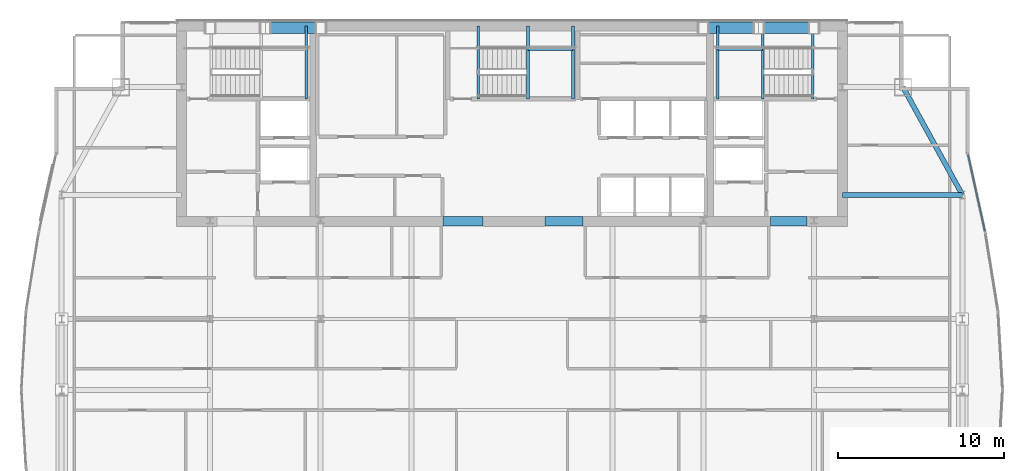
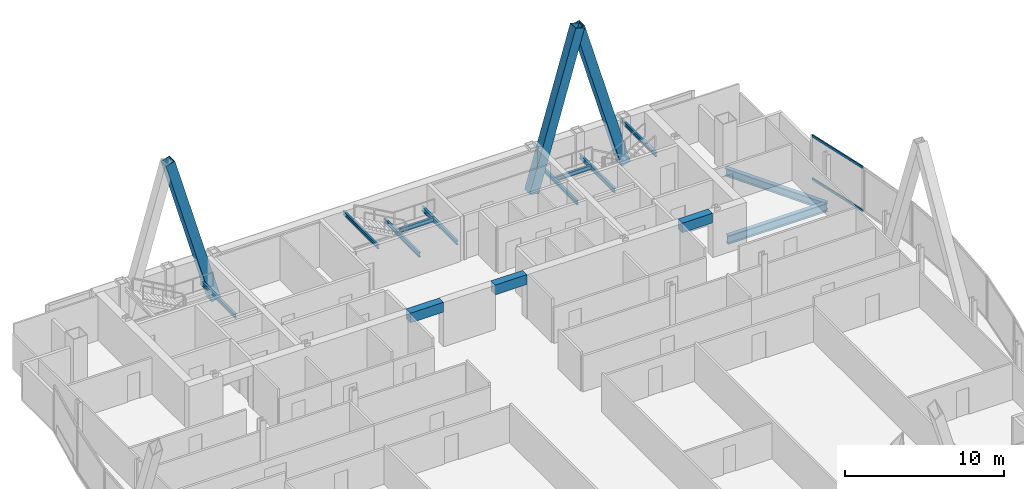
# One storey, part 23 of 31: 14 beams, 5 members, 1 element without a shape of its own.
"""IFC4 building model written with IfcOpenShell, lengths in metres."""

from ifc_helpers import new_model, si_unit, direction, frame, origin, origin_2d, place, context, subcontext, project, spatial, rectangle, hollow_rectangle, i_section, extrude, material, material_profile, profile_set, type_object, element, aggregate, save


model = new_model("IFC4")

# Units and contexts
model_context = context("Model", 3, precision=1e-05, world=origin(), true_north=direction((0.0, 1.0)))
body_context = subcontext(model_context, "Body", "Model", "MODEL_VIEW")
ifc_project = project(units=[si_unit("LENGTHUNIT", "METRE"), si_unit("AREAUNIT", "SQUARE_METRE"), si_unit("VOLUMEUNIT", "CUBIC_METRE"), si_unit("PLANEANGLEUNIT", "RADIAN"), si_unit("MASSUNIT", "GRAM", prefix="KILO")], contexts=[model_context])

# Site, building, storey
site_placement = place(None, origin())
site = spatial("IfcSite", under=ifc_project, at=site_placement, CompositionType="ELEMENT")
building_placement = place(site_placement, origin())
building = spatial("IfcBuilding", under=site, at=building_placement, Name="Khoronbel Lancet Exchange", CompositionType="ELEMENT")
storey_placement = place(building_placement, frame((0.0, 0.0, 261.800048828125)))
storey = spatial("IfcBuildingStorey", under=building, at=storey_placement, Name="L67", CompositionType="ELEMENT", Elevation=261.800048828125)

# Beams
ifc_material_1 = material(Name="Steel S355", Category="steel")
ifc_material_profile_1 = material_profile(ifc_material_1, i_section(OverallWidth=0.300048828125, OverallDepth=0.64990234375, WebThickness=0.01611328125, FlangeThickness=0.031005859375, at=origin_2d()), Name="HEB 650")
ifc_profile_set_1 = profile_set([ifc_material_profile_1], Name="Steel S355")
beam_type_1 = type_object("IfcBeamType", Name="BM-BG4", PredefinedType="BEAM", material=ifc_profile_set_1)
beam_1_placement = place(storey_placement, frame((56.39990234375, 43.199951171875, -0.485107421875), z_axis=(1.0, 0.0, 0.0), x_axis=(0.0, 1.0, 0.0)))
element("IfcBeam", 1, at=beam_1_placement, inside=storey, type_object=beam_type_1, Name="Level L67 east lens tie girder LG3E", PredefinedType="BEAM", context=body_context, shape_type="SweptSolid", body=[
    extrude(i_section(OverallWidth=0.300048828125, OverallDepth=0.64990234375, WebThickness=0.01611328125, FlangeThickness=0.031005859375, at=origin_2d()), origin(), (0.0, 0.0, 1.0), 7.22998046875),
])
ifc_material_profile_2 = material_profile(ifc_material_1, i_section(OverallWidth=0.159912109375, OverallDepth=0.330078125, WebThickness=0.007568359375, FlangeThickness=0.011474609375, at=origin_2d()), Name="IPE 330")
ifc_profile_set_2 = profile_set([ifc_material_profile_2], Name="Steel S355")
beam_type_2 = type_object("IfcBeamType", Name="BM-BJ7", PredefinedType="JOIST", material=ifc_profile_set_2)
for number, where, z_axis, x_axis, name in (
    (2, (24.030029296875, 48.97998046875, 1.43505859375), (0.0, 1.0, 0.0), (-1.0, 0.0, 0.0), "Level L67 stair ST1 rear landing bearer beam 1"),
    (3, (51.580078125, 48.97998046875, 1.43505859375), (0.0, 1.0, 0.0), (-1.0, 0.0, 0.0), "Level L67 stair ST2 landing bearer beam 1"),
    (4, (48.8701171875, 48.97998046875, 1.43505859375), (0.0, 1.0, 0.0), (-1.0, 0.0, 0.0), "Level L67 stair ST2 rear landing bearer beam 1"),
):
    element("IfcBeam", number, at=place(storey_placement, frame(where, z_axis=z_axis, x_axis=x_axis)), inside=storey, type_object=beam_type_2, Name=name, PredefinedType="JOIST", context=body_context, shape_type="SweptSolid", body=[
        extrude(i_section(OverallWidth=0.159912109375, OverallDepth=0.330078125, WebThickness=0.007568359375, FlangeThickness=0.011474609375, at=origin_2d()), origin(), (0.0, 0.0, 1.0), 4.419921875),
    ])
beam_2_placement = place(storey_placement, frame((48.8701171875, 51.97998046875, 1.43505859375), z_axis=(1.0, 0.0, 0.0), x_axis=(0.0, 1.0, 0.0)))
element("IfcBeam", 5, at=beam_2_placement, inside=storey, type_object=beam_type_2, Name="Level L67 stair ST2 landing cross trimmer beam 1", PredefinedType="JOIST", context=body_context, shape_type="SweptSolid", body=[
    extrude(i_section(OverallWidth=0.159912109375, OverallDepth=0.330078125, WebThickness=0.007568359375, FlangeThickness=0.011474609375, at=origin_2d()), origin(), (0.0, 0.0, 1.0), 2.7099609375),
])
for number, where, z_axis, x_axis, name in (
    (6, (37.419921875, 48.97998046875, 1.43505859375), (0.0, 1.0, 0.0), (-1.0, 0.0, 0.0), "Level L67 stair ST3 landing bearer beam 1"),
    (7, (40.1298828125, 48.97998046875, 1.43505859375), (0.0, 1.0, 0.0), (-1.0, 0.0, 0.0), "Level L67 stair ST3 rear landing bearer beam 1"),
):
    element("IfcBeam", number, at=place(storey_placement, frame(where, z_axis=z_axis, x_axis=x_axis)), inside=storey, type_object=beam_type_2, Name=name, PredefinedType="JOIST", context=body_context, shape_type="SweptSolid", body=[
        extrude(i_section(OverallWidth=0.159912109375, OverallDepth=0.330078125, WebThickness=0.007568359375, FlangeThickness=0.011474609375, at=origin_2d()), origin(), (0.0, 0.0, 1.0), 4.419921875),
    ])
beam_3_placement = place(storey_placement, frame((37.419921875, 51.97998046875, 1.43505859375), z_axis=(1.0, 0.0, 0.0), x_axis=(0.0, 1.0, 0.0)))
element("IfcBeam", 8, at=beam_3_placement, inside=storey, type_object=beam_type_2, Name="Level L67 stair ST3 landing cross trimmer beam 1", PredefinedType="JOIST", context=body_context, shape_type="SweptSolid", body=[
    extrude(i_section(OverallWidth=0.159912109375, OverallDepth=0.330078125, WebThickness=0.007568359375, FlangeThickness=0.011474609375, at=origin_2d()), origin(), (0.0, 0.0, 1.0), 2.7099609375),
])
ifc_material_profile_3 = material_profile(ifc_material_1, i_section(OverallWidth=0.14990234375, OverallDepth=0.300048828125, WebThickness=0.007080078125, FlangeThickness=0.0107421875, at=origin_2d()), Name="IPE 300")
ifc_profile_set_3 = profile_set([ifc_material_profile_3], Name="Steel S355")
beam_type_3 = type_object("IfcBeamType", Name="BM-BJ8", PredefinedType="JOIST", material=ifc_profile_set_3)
for number, where, z_axis, x_axis, name in (
    (9, (54.60009765625, 48.97998046875, 3.119873046875), (0.0, 1.0, 0.0), (-1.0, 0.0, 0.0), "Level L67 stair ST2 upper-flight arrival trimmer beam"),
    (10, (34.39990234375, 48.97998046875, 3.119873046875), (0.0, 1.0, 0.0), (-1.0, 0.0, 0.0), "Level L67 stair ST3 upper-flight arrival trimmer beam"),
):
    element("IfcBeam", number, at=place(storey_placement, frame(where, z_axis=z_axis, x_axis=x_axis)), inside=storey, type_object=beam_type_3, Name=name, PredefinedType="JOIST", context=body_context, shape_type="SweptSolid", body=[
        extrude(i_section(OverallWidth=0.14990234375, OverallDepth=0.300048828125, WebThickness=0.007080078125, FlangeThickness=0.0107421875, at=origin_2d()), origin(), (0.0, 0.0, 1.0), 4.419921875),
    ])
ifc_material_2 = material(Name="Concrete C60/75", Category="concrete")
ifc_material_profile_4 = material_profile(ifc_material_2, rectangle(XDim=0.550048828125, YDim=0.75, at=origin_2d()), Name="RC 550x750")
ifc_profile_set_4 = profile_set([ifc_material_profile_4], Name="Concrete C60/75")
beam_type_4 = type_object("IfcBeamType", Name="BM-BL2", PredefinedType="LINTEL", material=ifc_profile_set_4)
beam_4_placement = place(storey_placement, frame((32.300048828125, 41.60009765625, 3.02490234375), z_axis=(1.0, 0.0, 0.0), x_axis=(0.0, 1.0, 0.0)))
element("IfcBeam", 11, at=beam_4_placement, inside=storey, type_object=beam_type_4, Name="Level L67 rear core coupling lintel L2", PredefinedType="LINTEL", context=body_context, shape_type="SweptSolid", body=[
    extrude(rectangle(XDim=0.550048828125, YDim=0.75, at=origin_2d()), origin(), (0.0, 0.0, 1.0), 2.39990234375),
])
beam_5_placement = place(storey_placement, frame((38.449951171875, 41.60009765625, 3.02490234375), z_axis=(1.0, 0.0, 0.0), x_axis=(0.0, 1.0, 0.0)))
element("IfcBeam", 12, at=beam_5_placement, inside=storey, type_object=beam_type_4, Name="Level L67 rear core coupling lintel L3", PredefinedType="LINTEL", context=body_context, shape_type="SweptSolid", body=[
    extrude(rectangle(XDim=0.550048828125, YDim=0.75, at=origin_2d()), origin(), (0.0, 0.0, 1.0), 2.300048828125),
])
beam_6_placement = place(storey_placement, frame((52.050048828125, 41.60009765625, 3.02490234375), z_axis=(1.0, 0.0, 0.0), x_axis=(0.0, 1.0, 0.0)))
element("IfcBeam", 13, at=beam_6_placement, inside=storey, type_object=beam_type_4, Name="Level L67 rear core coupling lintel L4", PredefinedType="LINTEL", context=body_context, shape_type="SweptSolid", body=[
    extrude(rectangle(XDim=0.550048828125, YDim=0.75, at=origin_2d()), origin(), (0.0, 0.0, 1.0), 2.199951171875),
])
ifc_material_profile_5 = material_profile(ifc_material_1, i_section(OverallWidth=0.300048828125, OverallDepth=0.60009765625, WebThickness=0.015380859375, FlangeThickness=0.030029296875, at=origin_2d()), Name="HEB 600")
ifc_profile_set_5 = profile_set([ifc_material_profile_5], Name="Steel S355")
beam_type_5 = type_object("IfcBeamType", Name="BM-BSP2", PredefinedType="SPANDREL", material=ifc_profile_set_5)
beam_7_placement = place(storey_placement, frame((63.6298828125, 43.199951171875, -0.4599609375), z_axis=(-0.482418808117, 0.875940690672, 0.0), x_axis=(-0.875940690672, -0.482418808117, 0.0)))
element("IfcBeam", 14, at=beam_7_placement, inside=storey, type_object=beam_type_5, Name="Level L67 perimeter spandrel beam SP15", PredefinedType="SPANDREL", context=body_context, shape_type="SweptSolid", body=[
    extrude(i_section(OverallWidth=0.300048828125, OverallDepth=0.60009765625, WebThickness=0.015380859375, FlangeThickness=0.030029296875, at=origin_2d()), origin(), (0.0, 0.0, 1.0), 7.420654296875),
])

# Curtain wall, members
ifc_material_3 = material(Name="Low-E Solar Control Insulating Glass", Category="glass")
curtain_wall_type = type_object("IfcCurtainWallType", Name="CW-4", PredefinedType="NOTDEFINED", material=ifc_material_3)
curtain_wall_placement = place(storey_placement, origin())
curtain_wall = element("IfcCurtainWall", 15, at=curtain_wall_placement, inside=storey, type_object=curtain_wall_type, Name="Unitised curtain wall CW-L67-E17", PredefinedType="NOTDEFINED")
ifc_material_4 = material(Name="Bronze-Anodised Aluminium 6063-T6", Category="aluminium")
ifc_material_profile_6 = material_profile(ifc_material_4, hollow_rectangle(XDim=0.0849609375, YDim=0.179931640625, WallThickness=0.0048828125, at=origin_2d()), Name="ALU TRANSOM 85x180")
ifc_profile_set_6 = profile_set([ifc_material_profile_6], Name="Bronze-Anodised Aluminium 6063-T6")
member_type_1 = type_object("IfcMemberType", Name="MEM-CWT1", PredefinedType="USERDEFINED", material=ifc_profile_set_6)
member_1_placement = place(storey_placement, frame((63.97607421875, 45.616943359375, 0.04248046875), z_axis=(0.215517697989, -0.976499934385, 0.0), x_axis=(0.976499934385, 0.215517697989, 0.0)))
member_1 = element("IfcMember", 16, at=member_1_placement, type_object=member_type_1, Name="CW4 transom 1.1", ObjectType="TRANSOM", PredefinedType="USERDEFINED", context=body_context, shape_type="SweptSolid", body=[
    extrude(hollow_rectangle(XDim=0.0849609375, YDim=0.179931640625, WallThickness=0.0048828125, at=origin_2d()), origin(), (0.0, 0.0, 1.0), 4.721435546875),
])
member_2_placement = place(storey_placement, frame((63.97607421875, 45.616943359375, 3.357421875), z_axis=(0.215517697989, -0.976499934385, 0.0), x_axis=(0.976499934385, 0.215517697989, 0.0)))
member_2 = element("IfcMember", 17, at=member_2_placement, type_object=member_type_1, Name="CW4 transom 1.2", ObjectType="TRANSOM", PredefinedType="USERDEFINED", context=body_context, shape_type="SweptSolid", body=[
    extrude(hollow_rectangle(XDim=0.0849609375, YDim=0.179931640625, WallThickness=0.0048828125, at=origin_2d()), origin(), (0.0, 0.0, 1.0), 4.721435546875),
])
aggregate(curtain_wall, [member_1, member_2])

# Members
ifc_material_5 = material(Name="Steel S460", Category="steel")
ifc_material_profile_7 = material_profile(ifc_material_5, hollow_rectangle(XDim=0.679931640625, YDim=0.679931640625, WallThickness=0.044921875, at=origin_2d()), Name="BOX 680x680x45")
ifc_profile_set_7 = profile_set([ifc_material_profile_7], Name="Steel S460")
member_type_2 = type_object("IfcMemberType", Name="MEM-MB3", PredefinedType="BRACE", material=ifc_profile_set_7)
for number, where, z_axis, x_axis, name in (
    (18, (24.89990234375, 53.280029296875, 0.0), (-0.276494474889, 0.0, 0.961015507344), (0.0, -1.0, 0.0), "Perimeter lancet brace tier 23 N-W-R"),
    (19, (48.0, 53.280029296875, 0.0), (0.276494474889, 0.0, 0.961015507344), (0.0, 1.0, 0.0), "Perimeter lancet brace tier 23 N-E-L"),
):
    element("IfcMember", number, at=place(storey_placement, frame(where, z_axis=z_axis, x_axis=x_axis)), inside=storey, type_object=member_type_2, Name=name, PredefinedType="BRACE", context=body_context, shape_type="SweptSolid", body=[
        extrude(hollow_rectangle(XDim=0.679931640625, YDim=0.679931640625, WallThickness=0.044921875, at=origin_2d()), origin(), (0.0, 0.0, 1.0), 12.0703125),
    ])
member_3_placement = place(storey_placement, frame((54.675048828125, 53.280029296875, 0.0), z_axis=(-0.276513154812, 0.0, 0.961010132733), x_axis=(0.0, -1.0, 0.0)))
element("IfcMember", 20, at=member_3_placement, inside=storey, type_object=member_type_2, Name="Perimeter lancet brace tier 23 N-E-R", PredefinedType="BRACE", context=body_context, shape_type="SweptSolid", body=[
    extrude(hollow_rectangle(XDim=0.679931640625, YDim=0.679931640625, WallThickness=0.044921875, at=origin_2d()), origin(), (0.0, 0.0, 1.0), 12.070556640625),
])

save(model, "model.ifc")
